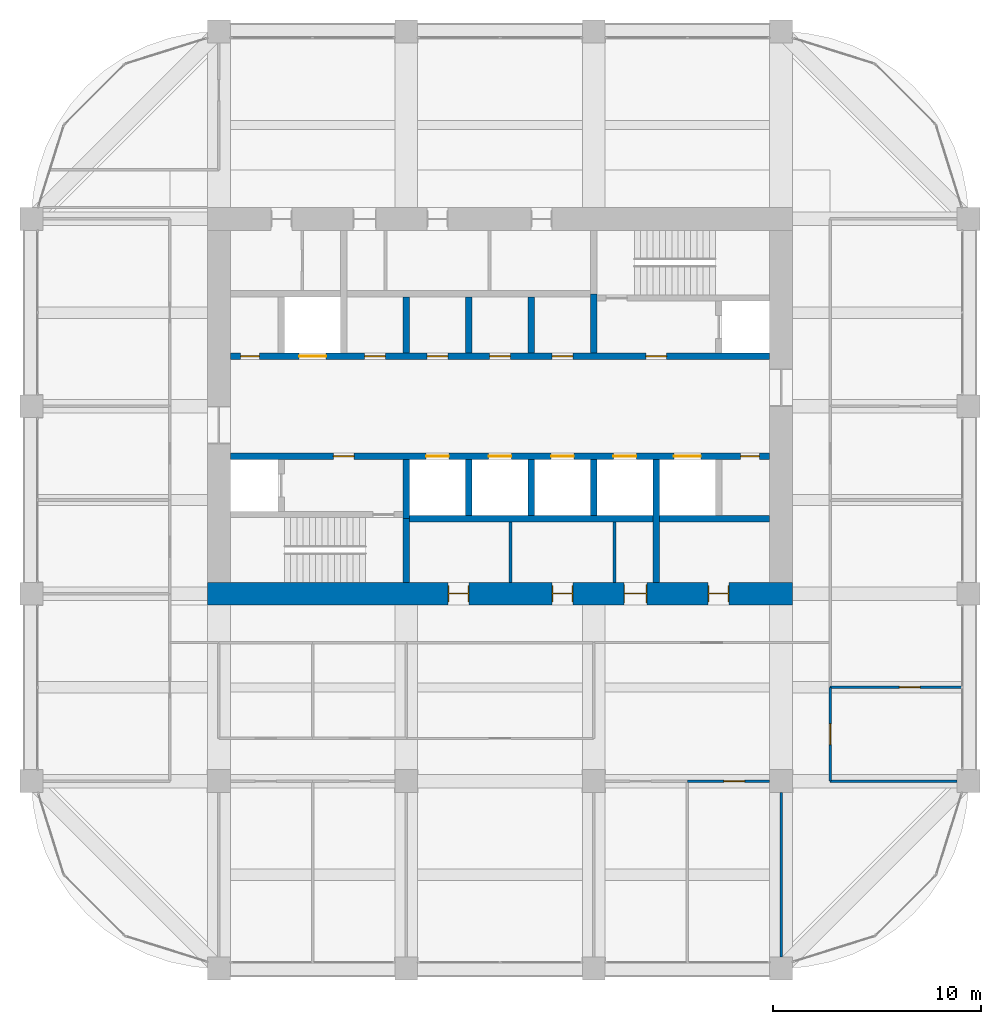
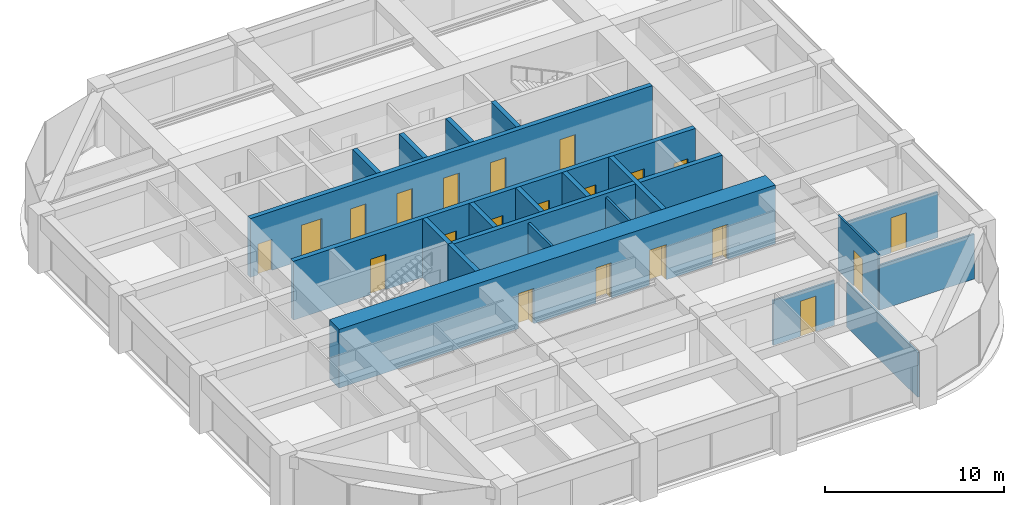
# One storey, part 42 of 45: 21 doors, 21 walls, 21 openings.
"""IFC4 building model written with IfcOpenShell, lengths in metres."""

from ifc_helpers import new_model, si_unit, direction, frame, frame_2d, origin, place, context, subcontext, project, spatial, rectangle, extrude, material, layer, layer_set, type_object, element, fill, save


model = new_model("IFC4")

# Units and contexts
model_context = context("Model", 3, precision=1e-05, world=origin(), true_north=direction((0.0, 1.0)))
body_context = subcontext(model_context, "Body", "Model", "MODEL_VIEW")
ifc_project = project(units=[si_unit("LENGTHUNIT", "METRE"), si_unit("AREAUNIT", "SQUARE_METRE"), si_unit("VOLUMEUNIT", "CUBIC_METRE"), si_unit("PLANEANGLEUNIT", "RADIAN"), si_unit("MASSUNIT", "GRAM", prefix="KILO")], contexts=[model_context])

# Site, building, storey
site_placement = place(None, origin())
site = spatial("IfcSite", under=ifc_project, at=site_placement, CompositionType="ELEMENT")
building_placement = place(site_placement, origin())
building = spatial("IfcBuilding", under=site, at=building_placement, Name="Zorevar Civic Tower", CompositionType="ELEMENT")
storey_placement = place(building_placement, frame((0.0, 0.0, 303.39990234375)))
storey = spatial("IfcBuildingStorey", under=building, at=storey_placement, Name="L74", CompositionType="ELEMENT", Elevation=303.39990234375)

# Wall, openings, doors
ifc_material_1 = material(Name="Concrete C50/60", Category="concrete")
ifc_layer_1 = layer(ifc_material_1, 1.10009765625)
ifc_layer_set_1 = layer_set([ifc_layer_1], Name="Core wall 1100")
wall_type_1 = type_object("IfcWallType", Name="Core wall 1100", PredefinedType="SHEAR", material=ifc_layer_set_1)
wall_1_placement = place(storey_placement, frame((17.449951171875, 18.0, 0.0), z_axis=(0.0, 0.0, 1.0), x_axis=(1.0, 0.0, 0.0)))
wall_1 = element("IfcWall", 1, at=wall_1_placement, inside=storey, type_object=wall_type_1, Name="Core wall S L74", PredefinedType="SHEAR", context=body_context, shape_type="SweptSolid", body=[
    extrude(rectangle(XDim=28.10009765625, YDim=1.10009765625, at=frame_2d((14.050048828125, 0.0))), origin(), (0.0, 0.0, 1.0), 4.0),
])
opening_1_placement = place(wall_1_placement, frame((11.550048828125, 0.0, 0.0)))
opening_1 = element("IfcOpeningElement", 2, at=opening_1_placement, cuts=wall_1, Name="Opening L74.03", PredefinedType="OPENING", context=body_context, shape_type="SweptSolid", body=[
    extrude(rectangle(XDim=1.0, YDim=2.39990234375, at=frame_2d((0.5, 1.199951171875))), frame((0.0, 0.56005859375, 0.0), z_axis=(0.0, -1.0, 0.0), x_axis=(1.0, 0.0, 0.0)), (0.0, 0.0, 1.0), 1.1201171875),
])
opening_2_placement = place(wall_1_placement, frame((16.550048828125, 0.0, 0.0)))
opening_2 = element("IfcOpeningElement", 3, at=opening_2_placement, cuts=wall_1, Name="Opening L74.04", PredefinedType="OPENING", context=body_context, shape_type="SweptSolid", body=[
    extrude(rectangle(XDim=1.0, YDim=2.39990234375, at=frame_2d((0.5, 1.199951171875))), frame((0.0, 0.56005859375, 0.0), z_axis=(0.0, -1.0, 0.0), x_axis=(1.0, 0.0, 0.0)), (0.0, 0.0, 1.0), 1.1201171875),
])
opening_3_placement = place(wall_1_placement, frame((20.0, 0.0, 0.0)))
opening_3 = element("IfcOpeningElement", 4, at=opening_3_placement, cuts=wall_1, Name="Opening L74.05", PredefinedType="OPENING", context=body_context, shape_type="SweptSolid", body=[
    extrude(rectangle(XDim=1.10009765625, YDim=2.39990234375, at=frame_2d((0.550048828125, 1.199951171875))), frame((0.0, 0.56005859375, 0.0), z_axis=(0.0, -1.0, 0.0), x_axis=(1.0, 0.0, 0.0)), (0.0, 0.0, 1.0), 1.1201171875),
])
opening_4_placement = place(wall_1_placement, frame((24.050048828125, 0.0, 0.0)))
opening_4 = element("IfcOpeningElement", 5, at=opening_4_placement, cuts=wall_1, Name="Opening L74.06", PredefinedType="OPENING", context=body_context, shape_type="SweptSolid", body=[
    extrude(rectangle(XDim=1.0, YDim=2.39990234375, at=frame_2d((0.5, 1.199951171875))), frame((0.0, 0.56005859375, 0.0), z_axis=(0.0, -1.0, 0.0), x_axis=(1.0, 0.0, 0.0)), (0.0, 0.0, 1.0), 1.1201171875),
])
ifc_material_2 = material(Name="Timber door set", Category="wood")
door_type_1 = type_object("IfcDoorType", Name="Door D1 1000x2400", OperationType="SINGLE_SWING_LEFT", PredefinedType="DOOR", material=ifc_material_2)
door_1_placement = place(opening_1_placement, origin())
door_1 = element("IfcDoor", 6, at=door_1_placement, inside=storey, type_object=door_type_1, Name="Door L74 02", OperationType="SINGLE_SWING_LEFT", OverallHeight=2.39990234375, OverallWidth=1.0, PredefinedType="DOOR", context=body_context, shape_type="SweptSolid", body=[
    extrude(rectangle(XDim=1.0, YDim=2.39990234375, at=frame_2d((0.5, 1.199951171875))), frame((0.0, 0.02490234375, 0.0), z_axis=(0.0, -1.0, 0.0), x_axis=(1.0, 0.0, 0.0)), (0.0, 0.0, 1.0), 0.050048828125),
    extrude(rectangle(XDim=0.04, YDim=2.39990234375, at=frame_2d((0.02001953125, 1.199951171875))), frame((0.0, 0.39990234375, 0.0), z_axis=(0.0, -1.0, 0.0), x_axis=(1.0, 0.0, 0.0)), (0.0, 0.0, 1.0), 0.800048828125),
    extrude(rectangle(XDim=0.04, YDim=2.39990234375, at=frame_2d((0.97998046875, 1.199951171875))), frame((0.0, 0.39990234375, 0.0), z_axis=(0.0, -1.0, 0.0), x_axis=(1.0, 0.0, 0.0)), (0.0, 0.0, 1.0), 0.800048828125),
    extrude(rectangle(XDim=1.0, YDim=0.04, at=frame_2d((0.5, 2.3798828125))), frame((0.0, 0.39990234375, 0.0), z_axis=(0.0, -1.0, 0.0), x_axis=(1.0, 0.0, 0.0)), (0.0, 0.0, 1.0), 0.800048828125),
])
fill(opening_1, door_1)
door_2_placement = place(opening_2_placement, origin())
door_2 = element("IfcDoor", 7, at=door_2_placement, inside=storey, type_object=door_type_1, Name="Door L74 03", OperationType="SINGLE_SWING_RIGHT", OverallHeight=2.39990234375, OverallWidth=1.0, PredefinedType="DOOR", context=body_context, shape_type="SweptSolid", body=[
    extrude(rectangle(XDim=1.0, YDim=2.39990234375, at=frame_2d((0.5, 1.199951171875))), frame((0.0, 0.02490234375, 0.0), z_axis=(0.0, -1.0, 0.0), x_axis=(1.0, 0.0, 0.0)), (0.0, 0.0, 1.0), 0.050048828125),
    extrude(rectangle(XDim=0.04, YDim=2.39990234375, at=frame_2d((0.02001953125, 1.199951171875))), frame((0.0, 0.39990234375, 0.0), z_axis=(0.0, -1.0, 0.0), x_axis=(1.0, 0.0, 0.0)), (0.0, 0.0, 1.0), 0.800048828125),
    extrude(rectangle(XDim=0.04, YDim=2.39990234375, at=frame_2d((0.97998046875, 1.199951171875))), frame((0.0, 0.39990234375, 0.0), z_axis=(0.0, -1.0, 0.0), x_axis=(1.0, 0.0, 0.0)), (0.0, 0.0, 1.0), 0.800048828125),
    extrude(rectangle(XDim=1.0, YDim=0.04, at=frame_2d((0.5, 2.3798828125))), frame((0.0, 0.39990234375, 0.0), z_axis=(0.0, -1.0, 0.0), x_axis=(1.0, 0.0, 0.0)), (0.0, 0.0, 1.0), 0.800048828125),
])
fill(opening_2, door_2)
door_3_placement = place(opening_4_placement, origin())
door_3 = element("IfcDoor", 8, at=door_3_placement, inside=storey, type_object=door_type_1, Name="Door L74 05", OperationType="SINGLE_SWING_RIGHT", OverallHeight=2.39990234375, OverallWidth=1.0, PredefinedType="DOOR", context=body_context, shape_type="SweptSolid", body=[
    extrude(rectangle(XDim=1.0, YDim=2.39990234375, at=frame_2d((0.5, 1.199951171875))), frame((0.0, 0.02490234375, 0.0), z_axis=(0.0, -1.0, 0.0), x_axis=(1.0, 0.0, 0.0)), (0.0, 0.0, 1.0), 0.050048828125),
    extrude(rectangle(XDim=0.04, YDim=2.39990234375, at=frame_2d((0.02001953125, 1.199951171875))), frame((0.0, 0.39990234375, 0.0), z_axis=(0.0, -1.0, 0.0), x_axis=(1.0, 0.0, 0.0)), (0.0, 0.0, 1.0), 0.800048828125),
    extrude(rectangle(XDim=0.04, YDim=2.39990234375, at=frame_2d((0.97998046875, 1.199951171875))), frame((0.0, 0.39990234375, 0.0), z_axis=(0.0, -1.0, 0.0), x_axis=(1.0, 0.0, 0.0)), (0.0, 0.0, 1.0), 0.800048828125),
    extrude(rectangle(XDim=1.0, YDim=0.04, at=frame_2d((0.5, 2.3798828125))), frame((0.0, 0.39990234375, 0.0), z_axis=(0.0, -1.0, 0.0), x_axis=(1.0, 0.0, 0.0)), (0.0, 0.0, 1.0), 0.800048828125),
])
fill(opening_4, door_3)
ifc_material_3 = material(Name="Timber door set", Category="wood")
door_type_2 = type_object("IfcDoorType", Name="Door D5 1100x2400", OperationType="SINGLE_SWING_LEFT", PredefinedType="DOOR", material=ifc_material_3)
door_4_placement = place(opening_3_placement, origin())
door_4 = element("IfcDoor", 9, at=door_4_placement, inside=storey, type_object=door_type_2, Name="Door L74 04", OperationType="SINGLE_SWING_RIGHT", OverallHeight=2.39990234375, OverallWidth=1.10009765625, PredefinedType="DOOR", context=body_context, shape_type="SweptSolid", body=[
    extrude(rectangle(XDim=1.10009765625, YDim=2.39990234375, at=frame_2d((0.550048828125, 1.199951171875))), frame((0.0, 0.02490234375, 0.0), z_axis=(0.0, -1.0, 0.0), x_axis=(1.0, 0.0, 0.0)), (0.0, 0.0, 1.0), 0.050048828125),
    extrude(rectangle(XDim=0.04, YDim=2.39990234375, at=frame_2d((0.02001953125, 1.199951171875))), frame((0.0, 0.43994140625, 0.0), z_axis=(0.0, -1.0, 0.0), x_axis=(1.0, 0.0, 0.0)), (0.0, 0.0, 1.0), 0.880126953125),
    extrude(rectangle(XDim=0.04, YDim=2.39990234375, at=frame_2d((1.080078125, 1.199951171875))), frame((0.0, 0.43994140625, 0.0), z_axis=(0.0, -1.0, 0.0), x_axis=(1.0, 0.0, 0.0)), (0.0, 0.0, 1.0), 0.880126953125),
    extrude(rectangle(XDim=1.10009765625, YDim=0.04, at=frame_2d((0.550048828125, 2.3798828125))), frame((0.0, 0.43994140625, 0.0), z_axis=(0.0, -1.0, 0.0), x_axis=(1.0, 0.0, 0.0)), (0.0, 0.0, 1.0), 0.880126953125),
])
fill(opening_3, door_4)

# Wall
ifc_material_4 = material(Name="Concrete C40/50", Category="concrete")
ifc_layer_2 = layer(ifc_material_4, 0.300048828125)
ifc_layer_set_2 = layer_set([ifc_layer_2], Name="Inner core wall 300")
wall_type_2 = type_object("IfcWallType", Name="Inner core wall 300", PredefinedType="SHEAR", material=ifc_layer_set_2)
wall_2_placement = place(storey_placement, frame((27.0, 18.550048828125, 0.0), z_axis=(0.0, 0.0, 1.0), x_axis=(0.0, 1.0, 0.0)))
element("IfcWall", 10, at=wall_2_placement, inside=storey, type_object=wall_type_2, Name="Inner core wall S01 L74", PredefinedType="SHEAR", context=body_context, shape_type="SweptSolid", body=[
    extrude(rectangle(XDim=3.050048828125, YDim=0.300048828125, at=frame_2d((1.52490234375, 0.0))), origin(), (0.0, 0.0, 1.0), 4.0),
])

# Wall, openings, doors
wall_3_placement = place(storey_placement, frame((18.550048828125, 24.60009765625, 0.0), z_axis=(0.0, 0.0, 1.0), x_axis=(1.0, 0.0, 0.0)))
wall_3 = element("IfcWall", 11, at=wall_3_placement, inside=storey, type_object=wall_type_2, Name="Inner core wall S03 L74", PredefinedType="SHEAR", context=body_context, shape_type="SweptSolid", body=[
    extrude(rectangle(XDim=25.89990234375, YDim=0.300048828125, at=frame_2d((12.949951171875, 0.0))), origin(), (0.0, 0.0, 1.0), 4.0),
])
opening_5_placement = place(wall_3_placement, frame((4.949951171875, 0.0, 0.0)))
opening_5 = element("IfcOpeningElement", 12, at=opening_5_placement, cuts=wall_3, Name="Opening L74.13", PredefinedType="OPENING", context=body_context, shape_type="SweptSolid", body=[
    extrude(rectangle(XDim=1.0, YDim=2.39990234375, at=frame_2d((0.5, 1.199951171875))), frame((0.0, 0.159912109375, 0.0), z_axis=(0.0, -1.0, 0.0), x_axis=(1.0, 0.0, 0.0)), (0.0, 0.0, 1.0), 0.320068359375),
])
opening_6_placement = place(wall_3_placement, frame((24.5, 0.0, 0.0)))
opening_6 = element("IfcOpeningElement", 13, at=opening_6_placement, cuts=wall_3, Name="Opening L74.15", PredefinedType="OPENING", context=body_context, shape_type="SweptSolid", body=[
    extrude(rectangle(XDim=0.89990234375, YDim=2.10009765625, at=frame_2d((0.449951171875, 1.050048828125))), frame((0.0, 0.159912109375, 0.0), z_axis=(0.0, -1.0, 0.0), x_axis=(1.0, 0.0, 0.0)), (0.0, 0.0, 1.0), 0.320068359375),
])
opening_7_placement = place(wall_3_placement, frame((9.39990234375, 0.0, 0.0)))
opening_7 = element("IfcOpeningElement", 14, at=opening_7_placement, cuts=wall_3, Name="Opening L74.LT1", PredefinedType="OPENING", context=body_context, shape_type="SweptSolid", body=[
    extrude(rectangle(XDim=1.10009765625, YDim=2.39990234375, at=frame_2d((0.550048828125, 1.199951171875))), frame((0.0, 0.159912109375, 0.0), z_axis=(0.0, -1.0, 0.0), x_axis=(1.0, 0.0, 0.0)), (0.0, 0.0, 1.0), 0.320068359375),
])
opening_8_placement = place(wall_3_placement, frame((12.39990234375, 0.0, 0.0)))
opening_8 = element("IfcOpeningElement", 15, at=opening_8_placement, cuts=wall_3, Name="Opening L74.LT2", PredefinedType="OPENING", context=body_context, shape_type="SweptSolid", body=[
    extrude(rectangle(XDim=1.10009765625, YDim=2.39990234375, at=frame_2d((0.550048828125, 1.199951171875))), frame((0.0, 0.159912109375, 0.0), z_axis=(0.0, -1.0, 0.0), x_axis=(1.0, 0.0, 0.0)), (0.0, 0.0, 1.0), 0.320068359375),
])
opening_9_placement = place(wall_3_placement, frame((15.39990234375, 0.0, 0.0)))
opening_9 = element("IfcOpeningElement", 16, at=opening_9_placement, cuts=wall_3, Name="Opening L74.LT3", PredefinedType="OPENING", context=body_context, shape_type="SweptSolid", body=[
    extrude(rectangle(XDim=1.10009765625, YDim=2.39990234375, at=frame_2d((0.550048828125, 1.199951171875))), frame((0.0, 0.159912109375, 0.0), z_axis=(0.0, -1.0, 0.0), x_axis=(1.0, 0.0, 0.0)), (0.0, 0.0, 1.0), 0.320068359375),
])
opening_10_placement = place(wall_3_placement, frame((18.39990234375, 0.0, 0.0)))
opening_10 = element("IfcOpeningElement", 17, at=opening_10_placement, cuts=wall_3, Name="Opening L74.LT4", PredefinedType="OPENING", context=body_context, shape_type="SweptSolid", body=[
    extrude(rectangle(XDim=1.10009765625, YDim=2.39990234375, at=frame_2d((0.550048828125, 1.199951171875))), frame((0.0, 0.159912109375, 0.0), z_axis=(0.0, -1.0, 0.0), x_axis=(1.0, 0.0, 0.0)), (0.0, 0.0, 1.0), 0.320068359375),
])
opening_11_placement = place(wall_3_placement, frame((21.300048828125, 0.0, 0.0)))
opening_11 = element("IfcOpeningElement", 18, at=opening_11_placement, cuts=wall_3, Name="Opening L74.SL1", PredefinedType="OPENING", context=body_context, shape_type="SweptSolid", body=[
    extrude(rectangle(XDim=1.300048828125, YDim=2.39990234375, at=frame_2d((0.64990234375, 1.199951171875))), frame((0.0, 0.159912109375, 0.0), z_axis=(0.0, -1.0, 0.0), x_axis=(1.0, 0.0, 0.0)), (0.0, 0.0, 1.0), 0.320068359375),
])
ifc_material_5 = material(Name="Steel door set", Category="steel")
door_type_3 = type_object("IfcDoorType", Name="Fire door FD1 1000x2400", OperationType="SINGLE_SWING_LEFT", PredefinedType="DOOR", material=ifc_material_5)
door_5_placement = place(opening_5_placement, origin())
door_5 = element("IfcDoor", 19, at=door_5_placement, inside=storey, type_object=door_type_3, Name="Door L74 12", OperationType="SINGLE_SWING_RIGHT", OverallHeight=2.39990234375, OverallWidth=1.0, PredefinedType="DOOR", context=body_context, shape_type="SweptSolid", body=[
    extrude(rectangle(XDim=1.0, YDim=2.39990234375, at=frame_2d((0.5, 1.199951171875))), frame((0.0, 0.030029296875, 0.0), z_axis=(0.0, -1.0, 0.0), x_axis=(1.0, 0.0, 0.0)), (0.0, 0.0, 1.0), 0.06005859375),
])
fill(opening_5, door_5)
ifc_material_6 = material(Name="Steel door set", Category="steel")
door_type_4 = type_object("IfcDoorType", Name="Landing door LD1 1100x2400", OperationType="DOUBLE_DOOR_SLIDING", PredefinedType="DOOR", material=ifc_material_6)
door_6_placement = place(opening_7_placement, origin())
door_6 = element("IfcDoor", 20, at=door_6_placement, inside=storey, type_object=door_type_4, Name="Landing door LT1 L74", OperationType="DOUBLE_DOOR_SLIDING", OverallHeight=2.39990234375, OverallWidth=1.10009765625, PredefinedType="DOOR", context=body_context, shape_type="SweptSolid", body=[
    extrude(rectangle(XDim=1.10009765625, YDim=2.39990234375, at=frame_2d((0.550048828125, 1.199951171875))), frame((0.0, 0.02001953125, 0.0), z_axis=(0.0, -1.0, 0.0), x_axis=(1.0, 0.0, 0.0)), (0.0, 0.0, 1.0), 0.0400390625),
])
fill(opening_7, door_6)
door_7_placement = place(opening_8_placement, origin())
door_7 = element("IfcDoor", 21, at=door_7_placement, inside=storey, type_object=door_type_4, Name="Landing door LT2 L74", OperationType="DOUBLE_DOOR_SLIDING", OverallHeight=2.39990234375, OverallWidth=1.10009765625, PredefinedType="DOOR", context=body_context, shape_type="SweptSolid", body=[
    extrude(rectangle(XDim=1.10009765625, YDim=2.39990234375, at=frame_2d((0.550048828125, 1.199951171875))), frame((0.0, 0.02001953125, 0.0), z_axis=(0.0, -1.0, 0.0), x_axis=(1.0, 0.0, 0.0)), (0.0, 0.0, 1.0), 0.0400390625),
])
fill(opening_8, door_7)
door_8_placement = place(opening_9_placement, origin())
door_8 = element("IfcDoor", 22, at=door_8_placement, inside=storey, type_object=door_type_4, Name="Landing door LT3 L74", OperationType="DOUBLE_DOOR_SLIDING", OverallHeight=2.39990234375, OverallWidth=1.10009765625, PredefinedType="DOOR", context=body_context, shape_type="SweptSolid", body=[
    extrude(rectangle(XDim=1.10009765625, YDim=2.39990234375, at=frame_2d((0.550048828125, 1.199951171875))), frame((0.0, 0.02001953125, 0.0), z_axis=(0.0, -1.0, 0.0), x_axis=(1.0, 0.0, 0.0)), (0.0, 0.0, 1.0), 0.0400390625),
])
fill(opening_9, door_8)
door_9_placement = place(opening_10_placement, origin())
door_9 = element("IfcDoor", 23, at=door_9_placement, inside=storey, type_object=door_type_4, Name="Landing door LT4 L74", OperationType="DOUBLE_DOOR_SLIDING", OverallHeight=2.39990234375, OverallWidth=1.10009765625, PredefinedType="DOOR", context=body_context, shape_type="SweptSolid", body=[
    extrude(rectangle(XDim=1.10009765625, YDim=2.39990234375, at=frame_2d((0.550048828125, 1.199951171875))), frame((0.0, 0.02001953125, 0.0), z_axis=(0.0, -1.0, 0.0), x_axis=(1.0, 0.0, 0.0)), (0.0, 0.0, 1.0), 0.0400390625),
])
fill(opening_10, door_9)
ifc_material_7 = material(Name="Steel door set", Category="steel")
door_type_5 = type_object("IfcDoorType", Name="Landing door LD2 1300x2400", OperationType="DOUBLE_DOOR_SLIDING", PredefinedType="DOOR", material=ifc_material_7)
door_10_placement = place(opening_11_placement, origin())
door_10 = element("IfcDoor", 24, at=door_10_placement, inside=storey, type_object=door_type_5, Name="Landing door SL1 L74", OperationType="DOUBLE_DOOR_SLIDING", OverallHeight=2.39990234375, OverallWidth=1.300048828125, PredefinedType="DOOR", context=body_context, shape_type="SweptSolid", body=[
    extrude(rectangle(XDim=1.300048828125, YDim=2.39990234375, at=frame_2d((0.64990234375, 1.199951171875))), frame((0.0, 0.02001953125, 0.0), z_axis=(0.0, -1.0, 0.0), x_axis=(1.0, 0.0, 0.0)), (0.0, 0.0, 1.0), 0.0400390625),
])
fill(opening_11, door_10)
ifc_material_8 = material(Name="Steel door set", Category="steel")
door_type_6 = type_object("IfcDoorType", Name="Riser door RD1 900x2100", OperationType="SINGLE_SWING_LEFT", PredefinedType="DOOR", material=ifc_material_8)
door_11_placement = place(opening_6_placement, origin())
door_11 = element("IfcDoor", 25, at=door_11_placement, inside=storey, type_object=door_type_6, Name="Door L74 14", OperationType="SINGLE_SWING_RIGHT", OverallHeight=2.10009765625, OverallWidth=0.89990234375, PredefinedType="DOOR", context=body_context, shape_type="SweptSolid", body=[
    extrude(rectangle(XDim=0.89990234375, YDim=2.10009765625, at=frame_2d((0.449951171875, 1.050048828125))), frame((0.0, 0.030029296875, 0.0), z_axis=(0.0, -1.0, 0.0), x_axis=(1.0, 0.0, 0.0)), (0.0, 0.0, 1.0), 0.06005859375),
])
fill(opening_6, door_11)

wall_4_placement = place(storey_placement, frame((18.550048828125, 29.39990234375, 0.0), z_axis=(0.0, 0.0, 1.0), x_axis=(1.0, 0.0, 0.0)))
wall_4 = element("IfcWall", 26, at=wall_4_placement, inside=storey, type_object=wall_type_2, Name="Inner core wall N03 L74", PredefinedType="SHEAR", context=body_context, shape_type="SweptSolid", body=[
    extrude(rectangle(XDim=25.89990234375, YDim=0.300048828125, at=frame_2d((12.949951171875, 0.0))), origin(), (0.0, 0.0, 1.0), 4.0),
])
opening_12_placement = place(wall_4_placement, frame((19.949951171875, 0.0, 0.0)))
opening_12 = element("IfcOpeningElement", 27, at=opening_12_placement, cuts=wall_4, Name="Opening L74.14", PredefinedType="OPENING", context=body_context, shape_type="SweptSolid", body=[
    extrude(rectangle(XDim=1.0, YDim=2.39990234375, at=frame_2d((0.5, 1.199951171875))), frame((0.0, 0.159912109375, 0.0), z_axis=(0.0, -1.0, 0.0), x_axis=(1.0, 0.0, 0.0)), (0.0, 0.0, 1.0), 0.320068359375),
])
opening_13_placement = place(wall_4_placement, frame((0.5, 0.0, 0.0)))
opening_13 = element("IfcOpeningElement", 28, at=opening_13_placement, cuts=wall_4, Name="Opening L74.16", PredefinedType="OPENING", context=body_context, shape_type="SweptSolid", body=[
    extrude(rectangle(XDim=0.89990234375, YDim=2.10009765625, at=frame_2d((0.449951171875, 1.050048828125))), frame((0.0, 0.159912109375, 0.0), z_axis=(0.0, -1.0, 0.0), x_axis=(1.0, 0.0, 0.0)), (0.0, 0.0, 1.0), 0.320068359375),
])
opening_14_placement = place(wall_4_placement, frame((15.449951171875, 0.0, 0.0)))
opening_14 = element("IfcOpeningElement", 29, at=opening_14_placement, cuts=wall_4, Name="Opening L74.35", PredefinedType="OPENING", context=body_context, shape_type="SweptSolid", body=[
    extrude(rectangle(XDim=1.0, YDim=2.39990234375, at=frame_2d((0.5, 1.199951171875))), frame((0.0, 0.159912109375, 0.0), z_axis=(0.0, -1.0, 0.0), x_axis=(1.0, 0.0, 0.0)), (0.0, 0.0, 1.0), 0.320068359375),
])
opening_15_placement = place(wall_4_placement, frame((12.449951171875, 0.0, 0.0)))
opening_15 = element("IfcOpeningElement", 30, at=opening_15_placement, cuts=wall_4, Name="Opening L74.36", PredefinedType="OPENING", context=body_context, shape_type="SweptSolid", body=[
    extrude(rectangle(XDim=1.0, YDim=2.39990234375, at=frame_2d((0.5, 1.199951171875))), frame((0.0, 0.159912109375, 0.0), z_axis=(0.0, -1.0, 0.0), x_axis=(1.0, 0.0, 0.0)), (0.0, 0.0, 1.0), 0.320068359375),
])
opening_16_placement = place(wall_4_placement, frame((9.449951171875, 0.0, 0.0)))
opening_16 = element("IfcOpeningElement", 31, at=opening_16_placement, cuts=wall_4, Name="Opening L74.37", PredefinedType="OPENING", context=body_context, shape_type="SweptSolid", body=[
    extrude(rectangle(XDim=1.0, YDim=2.39990234375, at=frame_2d((0.5, 1.199951171875))), frame((0.0, 0.159912109375, 0.0), z_axis=(0.0, -1.0, 0.0), x_axis=(1.0, 0.0, 0.0)), (0.0, 0.0, 1.0), 0.320068359375),
])
opening_17_placement = place(wall_4_placement, frame((6.449951171875, 0.0, 0.0)))
opening_17 = element("IfcOpeningElement", 32, at=opening_17_placement, cuts=wall_4, Name="Opening L74.38", PredefinedType="OPENING", context=body_context, shape_type="SweptSolid", body=[
    extrude(rectangle(XDim=1.0, YDim=2.39990234375, at=frame_2d((0.5, 1.199951171875))), frame((0.0, 0.159912109375, 0.0), z_axis=(0.0, -1.0, 0.0), x_axis=(1.0, 0.0, 0.0)), (0.0, 0.0, 1.0), 0.320068359375),
])
opening_18_placement = place(wall_4_placement, frame((3.300048828125, 0.0, 0.0)))
opening_18 = element("IfcOpeningElement", 33, at=opening_18_placement, cuts=wall_4, Name="Opening L74.SL2", PredefinedType="OPENING", context=body_context, shape_type="SweptSolid", body=[
    extrude(rectangle(XDim=1.300048828125, YDim=2.39990234375, at=frame_2d((0.64990234375, 1.199951171875))), frame((0.0, 0.159912109375, 0.0), z_axis=(0.0, -1.0, 0.0), x_axis=(1.0, 0.0, 0.0)), (0.0, 0.0, 1.0), 0.320068359375),
])
door_12_placement = place(opening_12_placement, origin())
door_12 = element("IfcDoor", 34, at=door_12_placement, inside=storey, type_object=door_type_3, Name="Door L74 13", OperationType="SINGLE_SWING_RIGHT", OverallHeight=2.39990234375, OverallWidth=1.0, PredefinedType="DOOR", context=body_context, shape_type="SweptSolid", body=[
    extrude(rectangle(XDim=1.0, YDim=2.39990234375, at=frame_2d((0.5, 1.199951171875))), frame((0.0, 0.030029296875, 0.0), z_axis=(0.0, -1.0, 0.0), x_axis=(1.0, 0.0, 0.0)), (0.0, 0.0, 1.0), 0.06005859375),
])
fill(opening_12, door_12)
door_13_placement = place(opening_14_placement, origin())
door_13 = element("IfcDoor", 35, at=door_13_placement, inside=storey, type_object=door_type_3, Name="Door L74 LM1 shaft room", OperationType="SINGLE_SWING_LEFT", OverallHeight=2.39990234375, OverallWidth=1.0, PredefinedType="DOOR", context=body_context, shape_type="SweptSolid", body=[
    extrude(rectangle(XDim=1.0, YDim=2.39990234375, at=frame_2d((0.5, 1.199951171875))), frame((0.0, 0.030029296875, 0.0), z_axis=(0.0, -1.0, 0.0), x_axis=(1.0, 0.0, 0.0)), (0.0, 0.0, 1.0), 0.06005859375),
])
fill(opening_14, door_13)
door_14_placement = place(opening_15_placement, origin())
door_14 = element("IfcDoor", 36, at=door_14_placement, inside=storey, type_object=door_type_3, Name="Door L74 LM2 shaft room", OperationType="SINGLE_SWING_LEFT", OverallHeight=2.39990234375, OverallWidth=1.0, PredefinedType="DOOR", context=body_context, shape_type="SweptSolid", body=[
    extrude(rectangle(XDim=1.0, YDim=2.39990234375, at=frame_2d((0.5, 1.199951171875))), frame((0.0, 0.030029296875, 0.0), z_axis=(0.0, -1.0, 0.0), x_axis=(1.0, 0.0, 0.0)), (0.0, 0.0, 1.0), 0.06005859375),
])
fill(opening_15, door_14)
door_15_placement = place(opening_16_placement, origin())
door_15 = element("IfcDoor", 37, at=door_15_placement, inside=storey, type_object=door_type_3, Name="Door L74 LH1 shaft room", OperationType="SINGLE_SWING_RIGHT", OverallHeight=2.39990234375, OverallWidth=1.0, PredefinedType="DOOR", context=body_context, shape_type="SweptSolid", body=[
    extrude(rectangle(XDim=1.0, YDim=2.39990234375, at=frame_2d((0.5, 1.199951171875))), frame((0.0, 0.030029296875, 0.0), z_axis=(0.0, -1.0, 0.0), x_axis=(1.0, 0.0, 0.0)), (0.0, 0.0, 1.0), 0.06005859375),
])
fill(opening_16, door_15)
door_16_placement = place(opening_17_placement, origin())
door_16 = element("IfcDoor", 38, at=door_16_placement, inside=storey, type_object=door_type_3, Name="Door L74 LH2 shaft room", OperationType="SINGLE_SWING_RIGHT", OverallHeight=2.39990234375, OverallWidth=1.0, PredefinedType="DOOR", context=body_context, shape_type="SweptSolid", body=[
    extrude(rectangle(XDim=1.0, YDim=2.39990234375, at=frame_2d((0.5, 1.199951171875))), frame((0.0, 0.030029296875, 0.0), z_axis=(0.0, -1.0, 0.0), x_axis=(1.0, 0.0, 0.0)), (0.0, 0.0, 1.0), 0.06005859375),
])
fill(opening_17, door_16)
door_17_placement = place(opening_18_placement, origin())
door_17 = element("IfcDoor", 39, at=door_17_placement, inside=storey, type_object=door_type_5, Name="Landing door SL2 L74", OperationType="DOUBLE_DOOR_SLIDING", OverallHeight=2.39990234375, OverallWidth=1.300048828125, PredefinedType="DOOR", context=body_context, shape_type="SweptSolid", body=[
    extrude(rectangle(XDim=1.300048828125, YDim=2.39990234375, at=frame_2d((0.64990234375, 1.199951171875))), frame((0.0, 0.02001953125, 0.0), z_axis=(0.0, -1.0, 0.0), x_axis=(1.0, 0.0, 0.0)), (0.0, 0.0, 1.0), 0.0400390625),
])
fill(opening_18, door_17)
door_18_placement = place(opening_13_placement, origin())
door_18 = element("IfcDoor", 40, at=door_18_placement, inside=storey, type_object=door_type_6, Name="Door L74 15", OperationType="SINGLE_SWING_RIGHT", OverallHeight=2.10009765625, OverallWidth=0.89990234375, PredefinedType="DOOR", context=body_context, shape_type="SweptSolid", body=[
    extrude(rectangle(XDim=0.89990234375, YDim=2.10009765625, at=frame_2d((0.449951171875, 1.050048828125))), frame((0.0, 0.030029296875, 0.0), z_axis=(0.0, -1.0, 0.0), x_axis=(1.0, 0.0, 0.0)), (0.0, 0.0, 1.0), 0.06005859375),
])
fill(opening_13, door_18)

# Walls
wall_5_placement = place(storey_placement, frame((27.14990234375, 21.60009765625, 0.0), z_axis=(0.0, 0.0, 1.0), x_axis=(1.0, 0.0, 0.0)))
element("IfcWall", 41, at=wall_5_placement, inside=storey, type_object=wall_type_2, Name="Inner core wall S04 L74", PredefinedType="SHEAR", context=body_context, shape_type="SweptSolid", body=[
    extrude(rectangle(XDim=17.300048828125, YDim=0.300048828125, at=frame_2d((8.64990234375, 0.0))), origin(), (0.0, 0.0, 1.0), 4.0),
])
for number, where, z_axis, x_axis, name in (
    (42, (30.0, 21.75, 0.0), (0.0, 0.0, 1.0), (0.0, 1.0, 0.0), "Inner core wall S05 L74"),
    (43, (33.0, 29.550048828125, 0.0), (0.0, 0.0, 1.0), (0.0, 1.0, 0.0), "Inner core wall N05 L74"),
    (44, (33.0, 21.75, 0.0), (0.0, 0.0, 1.0), (0.0, 1.0, 0.0), "Inner core wall S06 L74"),
    (45, (30.0, 29.550048828125, 0.0), (0.0, 0.0, 1.0), (0.0, 1.0, 0.0), "Inner core wall N06 L74"),
    (46, (36.0, 21.75, 0.0), (0.0, 0.0, 1.0), (0.0, 1.0, 0.0), "Inner core wall S07 L74"),
    (47, (27.0, 29.550048828125, 0.0), (0.0, 0.0, 1.0), (0.0, 1.0, 0.0), "Inner core wall N07 L74"),
):
    element("IfcWall", number, at=place(storey_placement, frame(where, z_axis=z_axis, x_axis=x_axis)), inside=storey, type_object=wall_type_2, Name=name, PredefinedType="SHEAR", context=body_context, shape_type="SweptSolid", body=[
        extrude(rectangle(XDim=2.699951171875, YDim=0.300048828125, at=frame_2d((1.35009765625, 0.0))), origin(), (0.0, 0.0, 1.0), 4.0),
    ])
wall_6_placement = place(storey_placement, frame((39.0, 18.550048828125, 0.0), z_axis=(0.0, 0.0, 1.0), x_axis=(0.0, 1.0, 0.0)))
element("IfcWall", 48, at=wall_6_placement, inside=storey, type_object=wall_type_2, Name="Inner core wall S08 L74", PredefinedType="SHEAR", context=body_context, shape_type="SweptSolid", body=[
    extrude(rectangle(XDim=5.89990234375, YDim=0.300048828125, at=frame_2d((2.949951171875, 0.0))), origin(), (0.0, 0.0, 1.0), 4.0),
])
for number, where, z_axis, x_axis, name in (
    (49, (27.0, 21.60009765625, 0.0), (0.0, 0.0, 1.0), (0.0, 1.0, 0.0), "Inner core wall S10 L74"),
    (50, (36.0, 29.550048828125, 0.0), (0.0, 0.0, 1.0), (0.0, 1.0, 0.0), "Inner core wall N10 L74"),
):
    element("IfcWall", number, at=place(storey_placement, frame(where, z_axis=z_axis, x_axis=x_axis)), inside=storey, type_object=wall_type_2, Name=name, PredefinedType="SHEAR", context=body_context, shape_type="SweptSolid", body=[
        extrude(rectangle(XDim=2.849853515625, YDim=0.300048828125, at=frame_2d((1.4248046875, 0.0))), origin(), (0.0, 0.0, 1.0), 4.0),
    ])
ifc_material_9 = material(Name="Gypsum board on steel studs", Category="steel")
ifc_layer_3 = layer(ifc_material_9, 0.1201171875)
ifc_layer_set_3 = layer_set([ifc_layer_3], Name="Partition 120")
wall_type_3 = type_object("IfcWallType", Name="Partition 120", PredefinedType="PARTITIONING", material=ifc_layer_set_3)
wall_7_placement = place(storey_placement, frame((47.35009765625, 9.0, 0.0), z_axis=(0.0, 0.0, 1.0), x_axis=(1.0, 0.0, 0.0)))
element("IfcWall", 51, at=wall_7_placement, inside=storey, type_object=wall_type_3, Name="Partition 120 L74", PredefinedType="PARTITIONING", context=body_context, shape_type="SweptSolid", body=[
    extrude(rectangle(XDim=6.099853515625, YDim=0.1201171875, at=frame_2d((3.0498046875, 0.0))), origin(), (0.0, 0.0, 1.0), 3.050048828125),
])

# Wall, opening, door
wall_8_placement = place(storey_placement, frame((40.5, 9.0, 0.0), z_axis=(0.0, 0.0, 1.0), x_axis=(1.0, 0.0, 0.0)))
wall_8 = element("IfcWall", 52, at=wall_8_placement, inside=storey, type_object=wall_type_3, Name="Partition 120 L74", PredefinedType="PARTITIONING", context=body_context, shape_type="SweptSolid", body=[
    extrude(rectangle(XDim=3.949951171875, YDim=0.1201171875, at=frame_2d((1.97509765625, 0.0))), origin(), (0.0, 0.0, 1.0), 3.050048828125),
])
opening_19_placement = place(wall_8_placement, frame((1.75, 0.0, 0.0)))
opening_19 = element("IfcOpeningElement", 53, at=opening_19_placement, cuts=wall_8, Name="Opening L74.20", PredefinedType="OPENING", context=body_context, shape_type="SweptSolid", body=[
    extrude(rectangle(XDim=1.0, YDim=2.39990234375, at=frame_2d((0.5, 1.199951171875))), frame((0.0, 0.070068359375, 0.0), z_axis=(0.0, -1.0, 0.0), x_axis=(1.0, 0.0, 0.0)), (0.0, 0.0, 1.0), 0.14013671875),
])
door_19_placement = place(opening_19_placement, origin())
door_19 = element("IfcDoor", 54, at=door_19_placement, inside=storey, type_object=door_type_1, Name="Door L74 D1", OperationType="SINGLE_SWING_LEFT", OverallHeight=2.39990234375, OverallWidth=1.0, PredefinedType="DOOR", context=body_context, shape_type="SweptSolid", body=[
    extrude(rectangle(XDim=1.0, YDim=2.39990234375, at=frame_2d((0.5, 1.199951171875))), frame((0.0, 0.02490234375, 0.0), z_axis=(0.0, -1.0, 0.0), x_axis=(1.0, 0.0, 0.0)), (0.0, 0.0, 1.0), 0.050048828125),
])
fill(opening_19, door_19)

wall_9_placement = place(storey_placement, frame((47.35009765625, 13.5, 0.0), z_axis=(0.0, 0.0, 1.0), x_axis=(1.0, 0.0, 0.0)))
wall_9 = element("IfcWall", 55, at=wall_9_placement, inside=storey, type_object=wall_type_3, Name="Partition 120 L74", PredefinedType="PARTITIONING", context=body_context, shape_type="SweptSolid", body=[
    extrude(rectangle(XDim=6.33984375, YDim=0.1201171875, at=frame_2d((3.169921875, 0.0))), origin(), (0.0, 0.0, 1.0), 3.10009765625),
])
opening_20_placement = place(wall_9_placement, frame((3.324951171875, 0.0, 0.0)))
opening_20 = element("IfcOpeningElement", 56, at=opening_20_placement, cuts=wall_9, Name="Opening L74.24", PredefinedType="OPENING", context=body_context, shape_type="SweptSolid", body=[
    extrude(rectangle(XDim=1.0, YDim=2.39990234375, at=frame_2d((0.5, 1.199951171875))), frame((0.0, 0.070068359375, 0.0), z_axis=(0.0, -1.0, 0.0), x_axis=(1.0, 0.0, 0.0)), (0.0, 0.0, 1.0), 0.14013671875),
])
door_20_placement = place(opening_20_placement, origin())
door_20 = element("IfcDoor", 57, at=door_20_placement, inside=storey, type_object=door_type_1, Name="Door L74 D1", OperationType="SINGLE_SWING_LEFT", OverallHeight=2.39990234375, OverallWidth=1.0, PredefinedType="DOOR", context=body_context, shape_type="SweptSolid", body=[
    extrude(rectangle(XDim=1.0, YDim=2.39990234375, at=frame_2d((0.5, 1.199951171875))), frame((0.0, 0.02490234375, 0.0), z_axis=(0.0, -1.0, 0.0), x_axis=(1.0, 0.0, 0.0)), (0.0, 0.0, 1.0), 0.050048828125),
])
fill(opening_20, door_20)

# Wall
wall_10_placement = place(storey_placement, frame((45.0, 0.550048828125, 0.0), z_axis=(0.0, 0.0, 1.0), x_axis=(0.0, 1.0, 0.0)))
element("IfcWall", 58, at=wall_10_placement, inside=storey, type_object=wall_type_3, Name="Partition 120 L74", PredefinedType="PARTITIONING", context=body_context, shape_type="SweptSolid", body=[
    extrude(rectangle(XDim=7.89990234375, YDim=0.1201171875, at=frame_2d((3.949951171875, 0.0))), origin(), (0.0, 0.0, 1.0), 3.050048828125),
])

# Wall, opening, door
wall_11_placement = place(storey_placement, frame((47.35009765625, 9.0, 0.0), z_axis=(0.0, 0.0, 1.0), x_axis=(0.0, 1.0, 0.0)))
wall_11 = element("IfcWall", 59, at=wall_11_placement, inside=storey, type_object=wall_type_3, Name="Partition 120 L74", PredefinedType="PARTITIONING", context=body_context, shape_type="SweptSolid", body=[
    extrude(rectangle(XDim=4.5, YDim=0.1201171875, at=frame_2d((2.25, 0.0))), origin(), (0.0, 0.0, 1.0), 3.75),
])
opening_21_placement = place(wall_11_placement, frame((1.75, 0.0, 0.0)))
opening_21 = element("IfcOpeningElement", 60, at=opening_21_placement, cuts=wall_11, Name="Opening L74.32", PredefinedType="OPENING", context=body_context, shape_type="SweptSolid", body=[
    extrude(rectangle(XDim=1.0, YDim=2.39990234375, at=frame_2d((0.5, 1.199951171875))), frame((0.0, 0.070068359375, 0.0), z_axis=(0.0, -1.0, 0.0), x_axis=(1.0, 0.0, 0.0)), (0.0, 0.0, 1.0), 0.14013671875),
])
door_21_placement = place(opening_21_placement, origin())
door_21 = element("IfcDoor", 61, at=door_21_placement, inside=storey, type_object=door_type_1, Name="Door L74 D1", OperationType="SINGLE_SWING_LEFT", OverallHeight=2.39990234375, OverallWidth=1.0, PredefinedType="DOOR", context=body_context, shape_type="SweptSolid", body=[
    extrude(rectangle(XDim=1.0, YDim=2.39990234375, at=frame_2d((0.5, 1.199951171875))), frame((0.0, 0.02490234375, 0.0), z_axis=(0.0, -1.0, 0.0), x_axis=(1.0, 0.0, 0.0)), (0.0, 0.0, 1.0), 0.050048828125),
])
fill(opening_21, door_21)

# Walls
ifc_material_10 = material(Name="Gypsum board on steel studs, moisture resistant", Category="steel")
ifc_layer_4 = layer(ifc_material_10, 0.14990234375)
ifc_layer_set_4 = layer_set([ifc_layer_4], Name="WC partition 150")
wall_type_4 = type_object("IfcWallType", Name="WC partition 150", PredefinedType="PARTITIONING", material=ifc_layer_set_4)
for number, where, z_axis, x_axis, name in (
    (62, (32.0, 18.550048828125, 0.0), (0.0, 0.0, 1.0), (0.0, 1.0, 0.0), "WC partition L74"),
    (63, (37.0, 18.550048828125, 0.0), (0.0, 0.0, 1.0), (0.0, 1.0, 0.0), "WC partition L74"),
):
    element("IfcWall", number, at=place(storey_placement, frame(where, z_axis=z_axis, x_axis=x_axis)), inside=storey, type_object=wall_type_4, Name=name, PredefinedType="PARTITIONING", context=body_context, shape_type="SweptSolid", body=[
        extrude(rectangle(XDim=2.89990234375, YDim=0.14990234375, at=frame_2d((1.449951171875, 0.0))), origin(), (0.0, 0.0, 1.0), 3.75),
    ])

save(model, "model.ifc")
